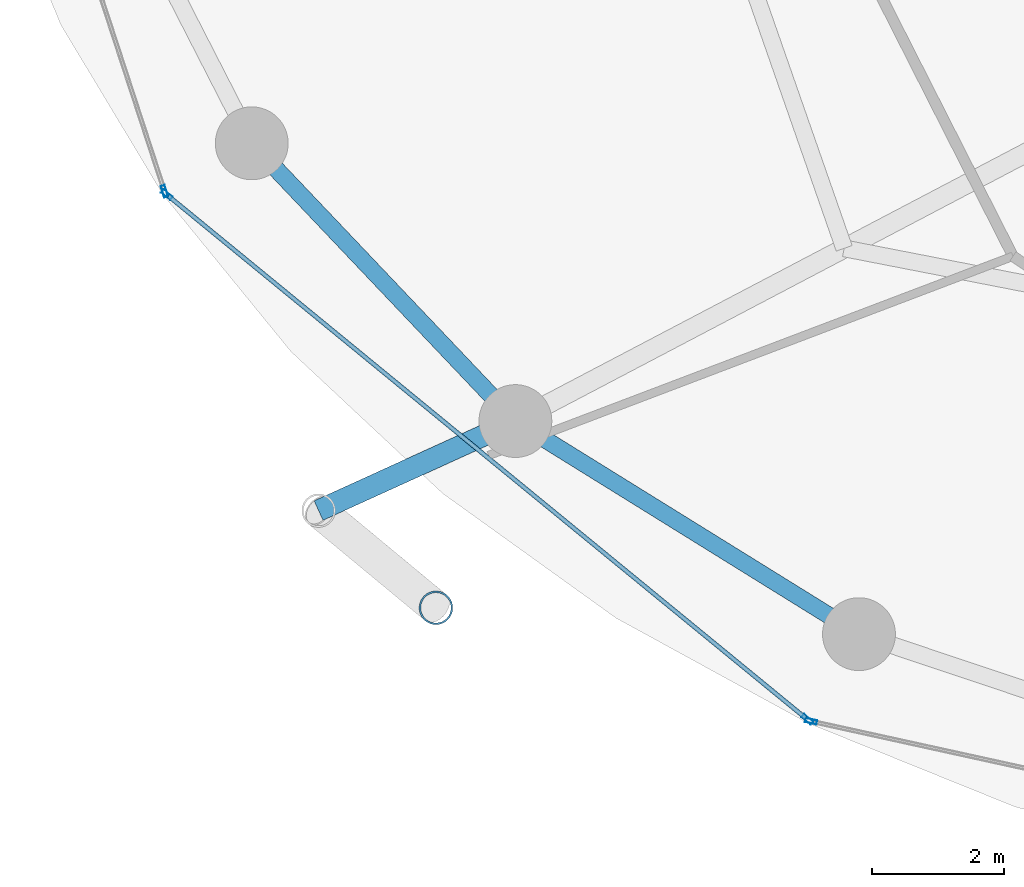
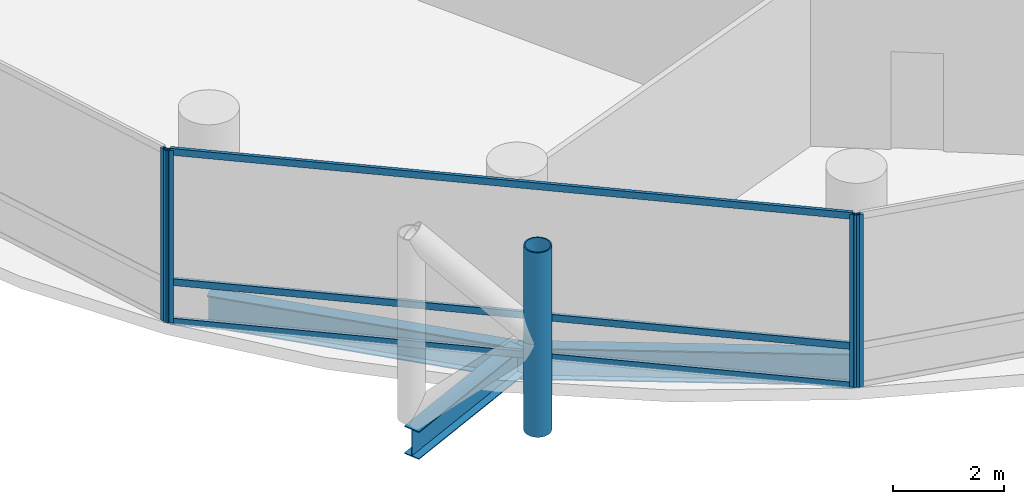
# One storey, part 2 of 25: 8 members, 3 beams, 3 elements without a shape of their own.
"""IFC4 building model written with IfcOpenShell, lengths in metres."""

from ifc_helpers import new_model, si_unit, direction, frame, origin, origin_2d, place, context, subcontext, project, spatial, hollow_rectangle, hollow_circle, i_section, extrude, material, layer, layer_set, material_profile, profile_set, type_object, element, aggregate, save


model = new_model("IFC4")

# Units and contexts
model_context = context("Model", 3, precision=1e-05, world=origin(), true_north=direction((0.0, 1.0)))
body_context = subcontext(model_context, "Body", "Model", "MODEL_VIEW")
ifc_project = project(units=[si_unit("LENGTHUNIT", "METRE"), si_unit("AREAUNIT", "SQUARE_METRE"), si_unit("VOLUMEUNIT", "CUBIC_METRE"), si_unit("PLANEANGLEUNIT", "RADIAN"), si_unit("MASSUNIT", "GRAM", prefix="KILO")], contexts=[model_context])

# Site, building, storey
site_placement = place(None, origin())
site = spatial("IfcSite", under=ifc_project, at=site_placement, CompositionType="ELEMENT")
building_placement = place(site_placement, origin())
building = spatial("IfcBuilding", under=site, at=building_placement, Name="Nuhasar Tower", CompositionType="ELEMENT")
storey_placement = place(building_placement, frame((0.0, 0.0, 49.35009765625)))
storey = spatial("IfcBuildingStorey", under=building, at=storey_placement, Name="L11", CompositionType="ELEMENT", Elevation=49.35009765625)

# Beams
ifc_material_1 = material(Name="Steel S355", Category="steel")
ifc_material_profile_1 = material_profile(ifc_material_1, i_section(OverallWidth=0.256103515625, OverallDepth=0.693115234375, WebThickness=0.014404296875, FlangeThickness=0.023681640625, at=origin_2d()), Name="W27X114")
ifc_profile_set_1 = profile_set([ifc_material_profile_1], Name="Steel S355")
beam_type_1 = type_object("IfcBeamType", Name="BM-RING-W27X114", PredefinedType="SPANDREL", material=ifc_profile_set_1)
beam_1_placement = place(storey_placement, frame((17.305908203125, 16.675048828125, -0.606201171875), z_axis=(0.688459812429, -0.725274490569, 0.0), x_axis=(0.725274490569, 0.688459812429, 0.0)))
element("IfcBeam", 1, at=beam_1_placement, inside=storey, type_object=beam_type_1, Name="L11 Perimeter Ring Spandrel 15", PredefinedType="SPANDREL", context=body_context, shape_type="SweptSolid", body=[
    extrude(i_section(OverallWidth=0.256103515625, OverallDepth=0.693115234375, WebThickness=0.014404296875, FlangeThickness=0.023681640625, at=origin_2d()), origin(), (0.0, 0.0, 1.0), 5.78271484375),
])
beam_2_placement = place(storey_placement, frame((21.287109375, 12.48095703125, -0.606201171875), z_axis=(0.849795216549, -0.527112976439, 0.0), x_axis=(0.527112976439, 0.849795216549, 0.0)))
element("IfcBeam", 2, at=beam_2_placement, inside=storey, type_object=beam_type_1, Name="L11 Perimeter Ring Spandrel 16", PredefinedType="SPANDREL", context=body_context, shape_type="SweptSolid", body=[
    extrude(i_section(OverallWidth=0.256103515625, OverallDepth=0.693115234375, WebThickness=0.014404296875, FlangeThickness=0.023681640625, at=origin_2d()), origin(), (0.0, 0.0, 1.0), 6.10498046875),
])
ifc_material_profile_2 = material_profile(ifc_material_1, i_section(OverallWidth=0.323974609375, OverallDepth=0.611083984375, WebThickness=0.0126953125, FlangeThickness=0.01904296875, at=origin_2d()), Name="W24X104")
ifc_profile_set_2 = profile_set([ifc_material_profile_2], Name="Steel S355")
beam_type_2 = type_object("IfcBeamType", Name="BM-TIE-W24X104", PredefinedType="BEAM", material=ifc_profile_set_2)
beam_3_placement = place(storey_placement, frame((21.287109375, 12.48095703125, -0.565185546875), z_axis=(-0.910243528587, -0.414073325227, 0.0), x_axis=(0.414073325227, -0.910243528587, 0.0)))
element("IfcBeam", 3, at=beam_3_placement, inside=storey, type_object=beam_type_2, Name="L11 Exoskeleton Node Tie Beam 08", PredefinedType="BEAM", context=body_context, shape_type="SweptSolid", body=[
    extrude(i_section(OverallWidth=0.323974609375, OverallDepth=0.611083984375, WebThickness=0.0126953125, FlangeThickness=0.01904296875, at=origin_2d()), origin(), (0.0, 0.0, 1.0), 3.26513671875),
])

# Curtain wall, member
ifc_material_2 = material(Name="Aluminium 6063-T6", Category="aluminium")
ifc_layer = layer(ifc_material_2, 0.199951171875)
ifc_layer_set = layer_set([ifc_layer], Name="Aluminium 6063-T6")
curtain_wall_type = type_object("IfcCurtainWallType", Name="CW-Z1-OFF", PredefinedType="NOTDEFINED", material=ifc_layer_set)
curtain_wall_1_placement = place(storey_placement, origin())
curtain_wall_1 = element("IfcCurtainWall", 4, at=curtain_wall_1_placement, inside=storey, type_object=curtain_wall_type, Name="L11 Unitised Curtain Wall 07", PredefinedType="NOTDEFINED")
ifc_material_profile_3 = material_profile(ifc_material_2, hollow_rectangle(XDim=0.06494140625, YDim=0.179931640625, WallThickness=0.0048828125, at=origin_2d()), Name="CWM-2")
ifc_profile_set_3 = profile_set([ifc_material_profile_3], Name="Aluminium 6063-T6")
member_type_1 = type_object("IfcMemberType", Name="CW-MUL-S2", PredefinedType="MULLION", material=ifc_profile_set_3)
member_1_placement = place(storey_placement, frame((15.98779296875, 15.950927734375, 0.0), z_axis=(0.0, 0.0, 1.0), x_axis=(0.950467534571, 0.310823849997, 0.0)))
member_1 = element("IfcMember", 5, at=member_1_placement, type_object=member_type_1, Name="CW-Z1 mullion 2", PredefinedType="MULLION", context=body_context, shape_type="SweptSolid", body=[
    extrude(hollow_rectangle(XDim=0.06494140625, YDim=0.179931640625, WallThickness=0.0048828125, at=origin_2d()), origin(), (0.0, 0.0, 1.0), 3.789794921875),
])
aggregate(curtain_wall_1, [member_1])

# Curtain wall, members
curtain_wall_2_placement = place(storey_placement, origin())
curtain_wall_2 = element("IfcCurtainWall", 6, at=curtain_wall_2_placement, inside=storey, type_object=curtain_wall_type, Name="L11 Unitised Curtain Wall 08", PredefinedType="NOTDEFINED")
member_2_placement = place(storey_placement, frame((16.023193359375, 15.8994140625, 0.0), z_axis=(0.0, 0.0, 1.0), x_axis=(0.633744593376, 0.773542364946, 0.0)))
member_2 = element("IfcMember", 7, at=member_2_placement, type_object=member_type_1, Name="CW-Z1 mullion 1", PredefinedType="MULLION", context=body_context, shape_type="SweptSolid", body=[
    extrude(hollow_rectangle(XDim=0.06494140625, YDim=0.179931640625, WallThickness=0.0048828125, at=origin_2d()), origin(), (0.0, 0.0, 1.0), 3.789794921875),
])
member_3_placement = place(storey_placement, frame((25.69482421875, 7.9755859375, 0.0), z_axis=(0.0, 0.0, 1.0), x_axis=(0.633744593376, 0.773542364946, 0.0)))
member_3 = element("IfcMember", 8, at=member_3_placement, type_object=member_type_1, Name="CW-Z1 mullion 2", PredefinedType="MULLION", context=body_context, shape_type="SweptSolid", body=[
    extrude(hollow_rectangle(XDim=0.06494140625, YDim=0.179931640625, WallThickness=0.0048828125, at=origin_2d()), origin(), (0.0, 0.0, 1.0), 3.789794921875),
])

# Curtain wall, member
curtain_wall_3_placement = place(storey_placement, origin())
curtain_wall_3 = element("IfcCurtainWall", 9, at=curtain_wall_3_placement, inside=storey, type_object=curtain_wall_type, Name="L11 Unitised Curtain Wall 09", PredefinedType="NOTDEFINED")
member_4_placement = place(storey_placement, frame((25.751708984375, 7.947998046875, 0.0), z_axis=(0.0, 0.0, 1.0), x_axis=(0.214398737637, 0.976746221544, 0.0)))
member_4 = element("IfcMember", 10, at=member_4_placement, type_object=member_type_1, Name="CW-Z1 mullion 1", PredefinedType="MULLION", context=body_context, shape_type="SweptSolid", body=[
    extrude(hollow_rectangle(XDim=0.06494140625, YDim=0.179931640625, WallThickness=0.0048828125, at=origin_2d()), origin(), (0.0, 0.0, 1.0), 3.789794921875),
])
aggregate(curtain_wall_3, [member_4])

# Member
ifc_material_profile_4 = material_profile(ifc_material_2, hollow_rectangle(XDim=0.06494140625, YDim=0.14990234375, WallThickness=0.00439453125, at=origin_2d()), Name="CWT-2")
ifc_profile_set_4 = profile_set([ifc_material_profile_4], Name="Aluminium 6063-T6")
member_type_2 = type_object("IfcMemberType", Name="CW-TRN-S2", PredefinedType="USERDEFINED", material=ifc_profile_set_4)
member_5_placement = place(storey_placement, frame((16.04833984375, 15.87890625, 0.032470703125), z_axis=(0.773531229158, -0.633758185365, 0.0), x_axis=(0.633758185365, 0.773531229158, 0.0)))
member_5 = element("IfcMember", 11, at=member_5_placement, type_object=member_type_2, Name="CW-Z1 transom 1.1", ObjectType="TRANSOM", PredefinedType="USERDEFINED", context=body_context, shape_type="SweptSolid", body=[
    extrude(hollow_rectangle(XDim=0.06494140625, YDim=0.14990234375, WallThickness=0.00439453125, at=origin_2d()), origin(), (0.0, 0.0, 1.0), 12.438232421875),
])

member_6_placement = place(storey_placement, frame((16.04833984375, 15.87890625, 0.89990234375), z_axis=(0.773531229158, -0.633758185365, 0.0), x_axis=(0.633758185365, 0.773531229158, 0.0)))
member_6 = element("IfcMember", 12, at=member_6_placement, type_object=member_type_2, Name="CW-Z1 transom 1.2", ObjectType="TRANSOM", PredefinedType="USERDEFINED", context=body_context, shape_type="SweptSolid", body=[
    extrude(hollow_rectangle(XDim=0.06494140625, YDim=0.14990234375, WallThickness=0.00439453125, at=origin_2d()), origin(), (0.0, 0.0, 1.0), 12.438232421875),
])

member_7_placement = place(storey_placement, frame((16.04833984375, 15.87890625, 3.75732421875), z_axis=(0.773531229158, -0.633758185365, 0.0), x_axis=(0.633758185365, 0.773531229158, 0.0)))
member_7 = element("IfcMember", 13, at=member_7_placement, type_object=member_type_2, Name="CW-Z1 transom 1.3", ObjectType="TRANSOM", PredefinedType="USERDEFINED", context=body_context, shape_type="SweptSolid", body=[
    extrude(hollow_rectangle(XDim=0.06494140625, YDim=0.14990234375, WallThickness=0.00439453125, at=origin_2d()), origin(), (0.0, 0.0, 1.0), 12.438232421875),
])

aggregate(curtain_wall_2, [member_2, member_3, member_5, member_6, member_7])

ifc_material_3 = material(Name="Steel S460", Category="steel")
ifc_material_profile_5 = material_profile(ifc_material_3, hollow_circle(Radius=0.25390625, WallThickness=0.025390625, at=origin_2d()), Name="HSS508X25.4")
ifc_profile_set_5 = profile_set([ifc_material_profile_5], Name="Steel S460")
member_type_3 = type_object("IfcMemberType", Name="EXO-BRONZE-508", PredefinedType="BRACE", material=ifc_profile_set_5)
member_8_placement = place(storey_placement, frame((20.0869140625, 9.660888671875, 0.0), z_axis=(0.0, 0.0, 1.0), x_axis=(1.0, 0.0, 0.0)))
element("IfcMember", 14, at=member_8_placement, inside=storey, type_object=member_type_3, Name="L11 Exoskeleton Chord Column EC-08B", PredefinedType="BRACE", context=body_context, shape_type="SweptSolid", body=[
    extrude(hollow_circle(Radius=0.25390625, WallThickness=0.025390625, at=origin_2d()), origin(), (0.0, 0.0, 1.0), 4.0498046875),
])

save(model, "model.ifc")
